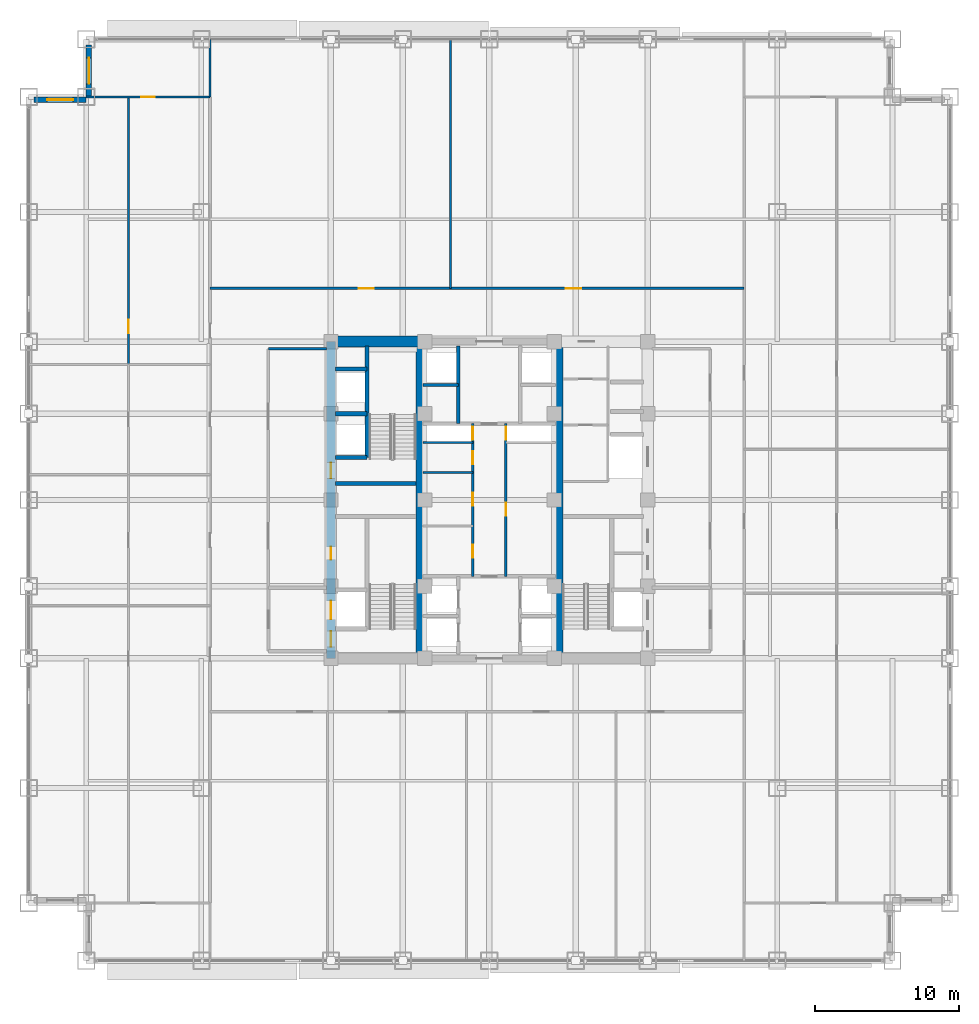
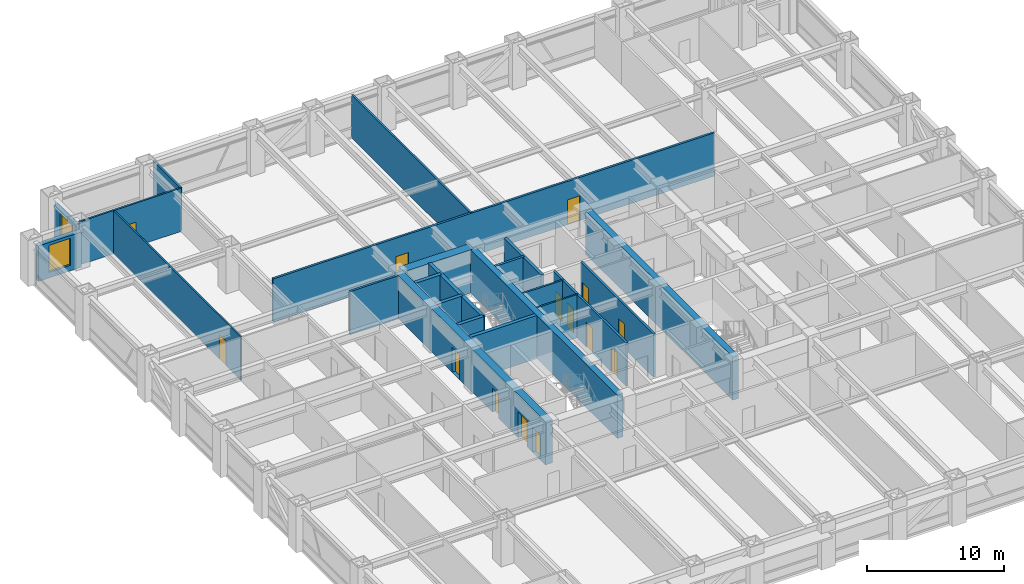
# One storey, part 25 of 32: 23 walls, 14 doors, 2 windows, 16 openings.
"""IFC4 building model written with IfcOpenShell, lengths in metres."""

from ifc_helpers import new_model, si_unit, direction, frame, frame_2d, origin, place, context, subcontext, project, spatial, rectangle, extrude, source, transform, mapped, material, layer, layer_set, type_object, element, fill, save


model = new_model("IFC4")

# Units and contexts
model_context = context("Model", 3, precision=1e-05, world=origin(), true_north=direction((0.0, 1.0)))
body_context = subcontext(model_context, "Body", "Model", "MODEL_VIEW")
ifc_project = project(units=[si_unit("LENGTHUNIT", "METRE"), si_unit("AREAUNIT", "SQUARE_METRE"), si_unit("VOLUMEUNIT", "CUBIC_METRE"), si_unit("PLANEANGLEUNIT", "RADIAN"), si_unit("MASSUNIT", "GRAM", prefix="KILO")], contexts=[model_context])

# Site, building, storey
site_placement = place(None, origin())
site = spatial("IfcSite", under=ifc_project, at=site_placement, CompositionType="ELEMENT")
building_placement = place(site_placement, origin())
building = spatial("IfcBuilding", under=site, at=building_placement, Name="Khorayat Bourse Tower", CompositionType="ELEMENT")
storey_placement = place(building_placement, frame((0.0, 0.0, 136.5)))
storey = spatial("IfcBuildingStorey", under=building, at=storey_placement, Name="L31", CompositionType="ELEMENT", Elevation=136.5)

# Wall, openings, doors
ifc_material_1 = material(Name="Concrete C60/75", Category="concrete")
ifc_layer_1 = layer(ifc_material_1, 0.60009765625)
ifc_layer_set_1 = layer_set([ifc_layer_1], Name="Concrete C60/75")
wall_type_1 = type_object("IfcWallType", Name="WAL-CORE-600", PredefinedType="SHEAR", material=ifc_layer_set_1)
shared_shape_1 = source(origin(), body_context, "Body", "SweptSolid", [
    extrude(rectangle(XDim=22.0, YDim=0.60009765625, at=frame_2d((11.0, 0.0))), origin(), (0.0, 0.0, 1.0), 3.840087890625),
])
wall_1_placement = place(storey_placement, frame((-11.0, -11.0, 0.0), z_axis=(0.0, 0.0, 1.0), x_axis=(0.0, 1.0, 0.0)))
wall_1 = element("IfcWall", 1, at=wall_1_placement, inside=storey, type_object=wall_type_1, Name="L31 Core Shear Wall CORE-W", PredefinedType="SHEAR", context=body_context, shape_type="MappedRepresentation", body=[
    mapped(shared_shape_1, transform((0.0, 0.0, 0.0), scale=1.0)),
])
shared_shape_2 = source(origin(), body_context, "Body", "SweptSolid", [
    extrude(rectangle(XDim=1.10009765625, YDim=2.199951171875, at=frame_2d((0.550048828125, 1.10009765625))), frame((0.0, 0.31005859375, 0.0), z_axis=(0.0, -1.0, 0.0), x_axis=(1.0, 0.0, 0.0)), (0.0, 0.0, 1.0), 0.6201171875),
])
opening_1_placement = place(wall_1_placement, frame((0.800048828125, 0.0, 0.0)))
opening_1 = element("IfcOpeningElement", 2, at=opening_1_placement, cuts=wall_1, Name="Opening DI-01", PredefinedType="OPENING", context=body_context, shape_type="MappedRepresentation", body=[
    mapped(shared_shape_2, transform((0.0, 0.0, 0.0), scale=1.0)),
])
opening_2_placement = place(wall_1_placement, frame((12.5, 0.0, 0.0)))
opening_2 = element("IfcOpeningElement", 3, at=opening_2_placement, cuts=wall_1, Name="Opening DI-01", PredefinedType="OPENING", context=body_context, shape_type="MappedRepresentation", body=[
    mapped(shared_shape_2, transform((0.0, 0.0, 0.0), scale=1.0)),
])
shared_shape_3 = source(origin(), body_context, "Body", "SweptSolid", [
    extrude(rectangle(XDim=0.89990234375, YDim=2.14990234375, at=frame_2d((0.449951171875, 1.074951171875))), frame((0.0, 0.31005859375, 0.0), z_axis=(0.0, -1.0, 0.0), x_axis=(1.0, 0.0, 0.0)), (0.0, 0.0, 1.0), 0.6201171875),
])
opening_3_placement = place(wall_1_placement, frame((6.85009765625, 0.0, 0.0)))
opening_3 = element("IfcOpeningElement", 4, at=opening_3_placement, cuts=wall_1, Name="Opening DI-06", PredefinedType="OPENING", context=body_context, shape_type="MappedRepresentation", body=[
    mapped(shared_shape_3, transform((0.0, 0.0, 0.0), scale=1.0)),
])
shared_shape_4 = source(origin(), body_context, "Body", "SweptSolid", [
    extrude(rectangle(XDim=1.300048828125, YDim=2.300048828125, at=frame_2d((0.64990234375, 1.14990234375))), frame((0.0, 0.31005859375, 0.0), z_axis=(0.0, -1.0, 0.0), x_axis=(1.0, 0.0, 0.0)), (0.0, 0.0, 1.0), 0.6201171875),
])
opening_4_placement = place(wall_1_placement, frame((2.699951171875, 0.0, 0.0)))
opening_4 = element("IfcOpeningElement", 5, at=opening_4_placement, cuts=wall_1, Name="Opening LD-02", PredefinedType="OPENING", context=body_context, shape_type="MappedRepresentation", body=[
    mapped(shared_shape_4, transform((0.0, 0.0, 0.0), scale=1.0)),
])
ifc_material_2 = material(Name="Fire-rated steel acoustic leaf", Category="steel")
door_type_1 = type_object("IfcDoorType", Name="DR-INT-STAIR-1100", OperationType="NOTDEFINED", PredefinedType="DOOR", material=ifc_material_2)
shared_shape_5 = source(origin(), body_context, "Body", "SweptSolid", [
    extrude(rectangle(XDim=1.10009765625, YDim=2.199951171875, at=frame_2d((0.550048828125, 1.10009765625))), frame((0.0, 0.02490234375, 0.0), z_axis=(0.0, -1.0, 0.0), x_axis=(1.0, 0.0, 0.0)), (0.0, 0.0, 1.0), 0.050048828125),
])
door_1_placement = place(opening_1_placement, origin())
door_1 = element("IfcDoor", 6, at=door_1_placement, inside=storey, type_object=door_type_1, Name="L31 Exit Stair 1 Door", OperationType="SINGLE_SWING_RIGHT", OverallHeight=2.199951171875, OverallWidth=1.10009765625, PredefinedType="DOOR", context=body_context, shape_type="MappedRepresentation", body=[
    mapped(shared_shape_5, transform((0.0, 0.0, 0.0), scale=1.0)),
])
fill(opening_1, door_1)
door_2_placement = place(opening_2_placement, origin())
door_2 = element("IfcDoor", 7, at=door_2_placement, inside=storey, type_object=door_type_1, Name="L31 Exit Stair 2 Door", OperationType="SINGLE_SWING_RIGHT", OverallHeight=2.199951171875, OverallWidth=1.10009765625, PredefinedType="DOOR", context=body_context, shape_type="MappedRepresentation", body=[
    mapped(shared_shape_5, transform((0.0, 0.0, 0.0), scale=1.0)),
])
fill(opening_2, door_2)
ifc_material_3 = material(Name="Moisture-resistant laminate washroom door")
door_type_2 = type_object("IfcDoorType", Name="DR-INT-WC-900", OperationType="NOTDEFINED", PredefinedType="DOOR", material=ifc_material_3)
shared_shape_6 = source(origin(), body_context, "Body", "SweptSolid", [
    extrude(rectangle(XDim=0.89990234375, YDim=2.14990234375, at=frame_2d((0.449951171875, 1.074951171875))), frame((0.0, 0.02490234375, 0.0), z_axis=(0.0, -1.0, 0.0), x_axis=(1.0, 0.0, 0.0)), (0.0, 0.0, 1.0), 0.050048828125),
])
door_3_placement = place(opening_3_placement, origin())
door_3 = element("IfcDoor", 8, at=door_3_placement, inside=storey, type_object=door_type_2, Name="L31 Electrical Switch Plant Room Door", OperationType="SINGLE_SWING_RIGHT", OverallHeight=2.14990234375, OverallWidth=0.89990234375, PredefinedType="DOOR", context=body_context, shape_type="MappedRepresentation", body=[
    mapped(shared_shape_6, transform((0.0, 0.0, 0.0), scale=1.0)),
])
fill(opening_3, door_3)
ifc_material_4 = material(Name="Fire-rated stainless-steel sliding landing door", Category="steel")
door_type_3 = type_object("IfcDoorType", Name="DR-LIFT-FF-1300", OperationType="NOTDEFINED", PredefinedType="DOOR", material=ifc_material_4)
shared_shape_7 = source(origin(), body_context, "Body", "SweptSolid", [
    extrude(rectangle(XDim=1.300048828125, YDim=2.300048828125, at=frame_2d((0.64990234375, 1.14990234375))), frame((0.0, 0.02490234375, 0.0), z_axis=(0.0, -1.0, 0.0), x_axis=(1.0, 0.0, 0.0)), (0.0, 0.0, 1.0), 0.050048828125),
])
door_4_placement = place(opening_4_placement, origin())
door_4 = element("IfcDoor", 9, at=door_4_placement, inside=storey, type_object=door_type_3, Name="L31 Lift FFL-01 Sliding Landing Door", OperationType="SLIDING_TO_LEFT", OverallHeight=2.300048828125, OverallWidth=1.300048828125, PredefinedType="DOOR", context=body_context, shape_type="MappedRepresentation", body=[
    mapped(shared_shape_7, transform((0.0, 0.0, 0.0), scale=1.0)),
])
fill(opening_4, door_4)

# Walls
ifc_material_5 = material(Name="Concrete C52/65", Category="concrete")
ifc_layer_2 = layer(ifc_material_5, 0.5)
ifc_layer_set_2 = layer_set([ifc_layer_2], Name="Concrete C52/65")
wall_type_2 = type_object("IfcWallType", Name="WAL-CORE-500", PredefinedType="SHEAR", material=ifc_layer_set_2)
shared_shape_8 = source(origin(), body_context, "Body", "SweptSolid", [
    extrude(rectangle(XDim=21.39990234375, YDim=0.5, at=frame_2d((10.699951171875, 0.0))), origin(), (0.0, 0.0, 1.0), 3.840087890625),
])
for number, where, z_axis, x_axis, name in (
    (10, (-4.85009765625, -10.699951171875, 0.0), (0.0, 0.0, 1.0), (0.0, 1.0, 0.0), "L31 Core Shear Wall PIER-W"),
    (11, (4.85009765625, -10.699951171875, 0.0), (0.0, 0.0, 1.0), (0.0, 1.0, 0.0), "L31 Core Shear Wall PIER-E"),
):
    element("IfcWall", number, at=place(storey_placement, frame(where, z_axis=z_axis, x_axis=x_axis)), inside=storey, type_object=wall_type_2, Name=name, PredefinedType="SHEAR", context=body_context, shape_type="MappedRepresentation", body=[
        mapped(shared_shape_8, transform((0.0, 0.0, 0.0), scale=1.0)),
    ])
ifc_material_6 = material(Name="Concrete C72/90", Category="concrete")
ifc_layer_3 = layer(ifc_material_6, 0.75)
ifc_layer_set_3 = layer_set([ifc_layer_3], Name="Concrete C72/90")
wall_type_3 = type_object("IfcWallType", Name="WAL-CORE-750", PredefinedType="SHEAR", material=ifc_layer_set_3)
shared_shape_9 = source(origin(), body_context, "Body", "SweptSolid", [
    extrude(rectangle(XDim=5.849853515625, YDim=0.75, at=frame_2d((2.9248046875, 0.0))), origin(), (0.0, 0.0, 1.0), 3.840087890625),
])
wall_2_placement = place(storey_placement, frame((-10.699951171875, 11.0, 0.0), z_axis=(0.0, 0.0, 1.0), x_axis=(1.0, 0.0, 0.0)))
element("IfcWall", 12, at=wall_2_placement, inside=storey, type_object=wall_type_3, Name="L31 Core Shear Wall PIER-WN", PredefinedType="SHEAR", context=body_context, shape_type="MappedRepresentation", body=[
    mapped(shared_shape_9, transform((0.0, 0.0, 0.0), scale=1.0)),
])
ifc_material_7 = material(Name="Concrete C50/60", Category="concrete")
ifc_layer_4 = layer(ifc_material_7, 0.300048828125)
ifc_layer_set_4 = layer_set([ifc_layer_4], Name="Concrete C50/60")
wall_type_4 = type_object("IfcWallType", Name="WAL-SHAFT-300", PredefinedType="SHEAR", material=ifc_layer_set_4)
shared_shape_10 = source(origin(), body_context, "Body", "SweptSolid", [
    extrude(rectangle(XDim=5.599853515625, YDim=0.300048828125, at=frame_2d((2.7998046875, 0.0))), origin(), (0.0, 0.0, 1.0), 3.840087890625),
])
wall_3_placement = place(storey_placement, frame((-10.699951171875, 1.14990234375, 0.0), z_axis=(0.0, 0.0, 1.0), x_axis=(1.0, 0.0, 0.0)))
element("IfcWall", 13, at=wall_3_placement, inside=storey, type_object=wall_type_4, Name="L31 Core Shear Wall ST2-DIV", PredefinedType="SHEAR", context=body_context, shape_type="MappedRepresentation", body=[
    mapped(shared_shape_10, transform((0.0, 0.0, 0.0), scale=1.0)),
])

# Wall, opening, window
ifc_material_8 = material(Name="Precast concrete C45/55", Category="concrete")
ifc_layer_5 = layer(ifc_material_8, 0.3798828125)
ifc_layer_set_5 = layer_set([ifc_layer_5], Name="Precast concrete C45/55")
wall_type_5 = type_object("IfcWallType", Name="WAL-EXT-STONE-380", PredefinedType="STANDARD", material=ifc_layer_set_5)
shared_shape_11 = source(origin(), body_context, "Body", "SweptSolid", [
    extrude(rectangle(XDim=3.6201171875, YDim=0.3798828125, at=frame_2d((1.81005859375, 0.0))), origin(), (0.0, 0.0, 1.0), 3.14501953125),
])
wall_4_placement = place(storey_placement, frame((-27.81005859375, 28.0, 0.0), z_axis=(0.0, 0.0, 1.0), x_axis=(0.0, 1.0, 0.0)))
wall_4 = element("IfcWall", 14, at=wall_4_placement, inside=storey, type_object=wall_type_5, Name="L31 Re-Entrant Notch Limestone Wall NW-V", PredefinedType="STANDARD", context=body_context, shape_type="MappedRepresentation", body=[
    mapped(shared_shape_11, transform((0.0, 0.0, 0.0), scale=1.0)),
])
shared_shape_12 = source(origin(), body_context, "Body", "SweptSolid", [
    extrude(rectangle(XDim=1.800048828125, YDim=2.39990234375, at=frame_2d((0.89990234375, 1.199951171875))), frame((0.0, 0.199951171875, 0.0), z_axis=(0.0, -1.0, 0.0), x_axis=(1.0, 0.0, 0.0)), (0.0, 0.0, 1.0), 0.39990234375),
])
opening_5_placement = place(wall_4_placement, frame((0.909912109375, 0.0, 0.5)))
opening_5 = element("IfcOpeningElement", 15, at=opening_5_placement, cuts=wall_4, Name="Opening WN-04", PredefinedType="OPENING", context=body_context, shape_type="MappedRepresentation", body=[
    mapped(shared_shape_12, transform((0.0, 0.0, 0.0), scale=1.0)),
])
ifc_material_9 = material(Name="Low-E acoustic laminated double glazing", Category="glass")
window_type = type_object("IfcWindowType", Name="WIN-NOTCH-1800x2400", PartitioningType="SINGLE_PANEL", PredefinedType="WINDOW", material=ifc_material_9)
shared_shape_13 = source(origin(), body_context, "Body", "SweptSolid", [
    extrude(rectangle(XDim=1.800048828125, YDim=2.39990234375, at=frame_2d((0.89990234375, 1.199951171875))), frame((0.0, 0.030029296875, 0.0), z_axis=(0.0, -1.0, 0.0), x_axis=(1.0, 0.0, 0.0)), (0.0, 0.0, 1.0), 0.06005859375),
])
window_1_placement = place(opening_5_placement, origin())
window_1 = element("IfcWindow", 16, at=window_1_placement, inside=storey, type_object=window_type, Name="L31 Facade Window 1", OverallHeight=2.39990234375, OverallWidth=1.800048828125, PartitioningType="SINGLE_PANEL", PredefinedType="WINDOW", context=body_context, shape_type="MappedRepresentation", body=[
    mapped(shared_shape_13, transform((0.0, 0.0, 0.0), scale=1.0)),
])
fill(opening_5, window_1)

wall_5_placement = place(storey_placement, frame((-28.0, 27.81005859375, 0.0), z_axis=(0.0, 0.0, 1.0), x_axis=(-1.0, 0.0, 0.0)))
wall_5 = element("IfcWall", 17, at=wall_5_placement, inside=storey, type_object=wall_type_5, Name="L31 Re-Entrant Notch Limestone Wall NW-H", PredefinedType="STANDARD", context=body_context, shape_type="MappedRepresentation", body=[
    mapped(shared_shape_11, transform((0.0, 0.0, 0.0), scale=1.0)),
])
opening_6_placement = place(wall_5_placement, frame((0.909912109375, 0.0, 0.5)))
opening_6 = element("IfcOpeningElement", 18, at=opening_6_placement, cuts=wall_5, Name="Opening WN-04", PredefinedType="OPENING", context=body_context, shape_type="MappedRepresentation", body=[
    mapped(shared_shape_12, transform((0.0, 0.0, 0.0), scale=1.0)),
])
window_2_placement = place(opening_6_placement, origin())
window_2 = element("IfcWindow", 19, at=window_2_placement, inside=storey, type_object=window_type, Name="L31 Facade Window 1", OverallHeight=2.39990234375, OverallWidth=1.800048828125, PartitioningType="SINGLE_PANEL", PredefinedType="WINDOW", context=body_context, shape_type="MappedRepresentation", body=[
    mapped(shared_shape_13, transform((0.0, 0.0, 0.0), scale=1.0)),
])
fill(opening_6, window_2)

# Walls
shared_shape_14 = source(origin(), body_context, "Body", "SweptSolid", [
    extrude(rectangle(XDim=2.199951171875, YDim=0.300048828125, at=frame_2d((1.10009765625, 0.0))), origin(), (0.0, 0.0, 1.0), 3.840087890625),
])
for number, where, z_axis, x_axis, name in (
    (20, (-10.699951171875, 2.949951171875, 0.0), (0.0, 0.0, 1.0), (1.0, 0.0, 0.0), "L31 Partition WAL-L31-WPIER-H1S"),
    (21, (-10.699951171875, 6.0, 0.0), (0.0, 0.0, 1.0), (1.0, 0.0, 0.0), "L31 Partition WAL-L31-WPIER-H12"),
    (22, (-10.699951171875, 9.10009765625, 0.0), (0.0, 0.0, 1.0), (1.0, 0.0, 0.0), "L31 Partition WAL-L31-WPIER-H2N"),
):
    element("IfcWall", number, at=place(storey_placement, frame(where, z_axis=z_axis, x_axis=x_axis)), inside=storey, type_object=wall_type_4, Name=name, PredefinedType="SHEAR", context=body_context, shape_type="MappedRepresentation", body=[
        mapped(shared_shape_14, transform((0.0, 0.0, 0.0), scale=1.0)),
    ])
shared_shape_15 = source(origin(), body_context, "Body", "SweptSolid", [
    extrude(rectangle(XDim=7.75, YDim=0.300048828125, at=frame_2d((3.875, 0.0))), origin(), (0.0, 0.0, 1.0), 3.840087890625),
])
wall_6_placement = place(storey_placement, frame((-8.5, 2.949951171875, 0.0), z_axis=(0.0, 0.0, 1.0), x_axis=(0.0, 1.0, 0.0)))
element("IfcWall", 23, at=wall_6_placement, inside=storey, type_object=wall_type_4, Name="L31 Partition WAL-L31-WPIER-ST2S", PredefinedType="SHEAR", context=body_context, shape_type="MappedRepresentation", body=[
    mapped(shared_shape_15, transform((0.0, 0.0, 0.0), scale=1.0)),
])
ifc_material_10 = material(Name="Gypsum plasterboard acoustic stud wall")
ifc_layer_6 = layer(ifc_material_10, 0.179931640625)
ifc_layer_set_6 = layer_set([ifc_layer_6], Name="Gypsum plasterboard acoustic stud wall")
wall_type_6 = type_object("IfcWallType", Name="WAL-PART-CORR-180", PredefinedType="PARTITIONING", material=ifc_layer_set_6)
shared_shape_16 = source(origin(), body_context, "Body", "SweptSolid", [
    extrude(rectangle(XDim=4.050048828125, YDim=0.179931640625, at=frame_2d((2.02490234375, 0.0))), origin(), (0.0, 0.0, 1.0), 3.840087890625),
])
wall_7_placement = place(storey_placement, frame((-15.35009765625, 10.5, 0.0), z_axis=(0.0, 0.0, 1.0), x_axis=(1.0, 0.0, 0.0)))
element("IfcWall", 24, at=wall_7_placement, inside=storey, type_object=wall_type_6, Name="L31 Partition WAL-L31-WLOB-N", PredefinedType="PARTITIONING", context=body_context, shape_type="MappedRepresentation", body=[
    mapped(shared_shape_16, transform((0.0, 0.0, 0.0), scale=1.0)),
])
ifc_material_11 = material(Name="Gypsum plasterboard twin-frame partition")
ifc_layer_7 = layer(ifc_material_11, 0.14990234375)
ifc_layer_set_7 = layer_set([ifc_layer_7], Name="Gypsum plasterboard twin-frame partition")
wall_type_7 = type_object("IfcWallType", Name="WAL-PART-SUITE-150", PredefinedType="PARTITIONING", material=ifc_layer_set_7)
shared_shape_17 = source(origin(), body_context, "Body", "SweptSolid", [
    extrude(rectangle(XDim=3.4501953125, YDim=0.14990234375, at=frame_2d((1.72509765625, 0.0))), origin(), (0.0, 0.0, 1.0), 3.840087890625),
])
wall_8_placement = place(storey_placement, frame((-4.60009765625, 4.0, 0.0), z_axis=(0.0, 0.0, 1.0), x_axis=(1.0, 0.0, 0.0)))
element("IfcWall", 25, at=wall_8_placement, inside=storey, type_object=wall_type_7, Name="L31 Partition WAL-L31-CRSW-S", PredefinedType="PARTITIONING", context=body_context, shape_type="MappedRepresentation", body=[
    mapped(shared_shape_17, transform((0.0, 0.0, 0.0), scale=1.0)),
])
shared_shape_18 = source(origin(), body_context, "Body", "SweptSolid", [
    extrude(rectangle(XDim=5.39990234375, YDim=0.25, at=frame_2d((2.699951171875, 0.0))), origin(), (0.0, 0.0, 1.0), 3.840087890625),
])
wall_9_placement = place(storey_placement, frame((-2.14990234375, 5.300048828125, 0.0), z_axis=(0.0, 0.0, 1.0), x_axis=(0.0, 1.0, 0.0)))
element("IfcWall", 26, at=wall_9_placement, inside=storey, type_object=wall_type_4, Name="L31 Partition WAL-L31-B2-W", PredefinedType="SHEAR", context=body_context, shape_type="MappedRepresentation", body=[
    mapped(shared_shape_18, transform((0.0, 0.0, 0.0), scale=1.0)),
])
shared_shape_19 = source(origin(), body_context, "Body", "SweptSolid", [
    extrude(rectangle(XDim=2.4501953125, YDim=0.199951171875, at=frame_2d((1.22509765625, 0.0))), origin(), (0.0, 0.0, 1.0), 3.840087890625),
])
wall_10_placement = place(storey_placement, frame((-4.60009765625, 8.0, 0.0), z_axis=(0.0, 0.0, 1.0), x_axis=(1.0, 0.0, 0.0)))
element("IfcWall", 27, at=wall_10_placement, inside=storey, type_object=wall_type_4, Name="L31 Partition WAL-L31-B2-MW", PredefinedType="SHEAR", context=body_context, shape_type="MappedRepresentation", body=[
    mapped(shared_shape_19, transform((0.0, 0.0, 0.0), scale=1.0)),
])

# Wall, openings, doors
shared_shape_20 = source(origin(), body_context, "Body", "SweptSolid", [
    extrude(rectangle(XDim=10.60009765625, YDim=0.179931640625, at=frame_2d((5.300048828125, 0.0))), origin(), (0.0, 0.0, 1.0), 3.840087890625),
])
wall_11_placement = place(storey_placement, frame((-1.14990234375, -5.300048828125, 0.0), z_axis=(0.0, 0.0, 1.0), x_axis=(0.0, 1.0, 0.0)))
wall_11 = element("IfcWall", 28, at=wall_11_placement, inside=storey, type_object=wall_type_6, Name="L31 Partition WAL-L31-CMW-L", PredefinedType="PARTITIONING", context=body_context, shape_type="MappedRepresentation", body=[
    mapped(shared_shape_20, transform((0.0, 0.0, 0.0), scale=1.0)),
])
shared_shape_21 = source(origin(), body_context, "Body", "SweptSolid", [
    extrude(rectangle(XDim=0.89990234375, YDim=2.14990234375, at=frame_2d((0.449951171875, 1.074951171875))), frame((0.0, 0.099853515625, 0.0), z_axis=(0.0, -1.0, 0.0), x_axis=(1.0, 0.0, 0.0)), (0.0, 0.0, 1.0), 0.199951171875),
])
opening_7_placement = place(wall_11_placement, frame((1.300048828125, 0.0, 0.0)))
opening_7 = element("IfcOpeningElement", 29, at=opening_7_placement, cuts=wall_11, Name="Opening DI-06", PredefinedType="OPENING", context=body_context, shape_type="MappedRepresentation", body=[
    mapped(shared_shape_21, transform((0.0, 0.0, 0.0), scale=1.0)),
])
opening_8_placement = place(wall_11_placement, frame((4.89990234375, 0.0, 0.0)))
opening_8 = element("IfcOpeningElement", 30, at=opening_8_placement, cuts=wall_11, Name="Opening DI-06", PredefinedType="OPENING", context=body_context, shape_type="MappedRepresentation", body=[
    mapped(shared_shape_21, transform((0.0, 0.0, 0.0), scale=1.0)),
])
opening_9_placement = place(wall_11_placement, frame((7.800048828125, 0.0, 0.0)))
opening_9 = element("IfcOpeningElement", 31, at=opening_9_placement, cuts=wall_11, Name="Opening DI-06", PredefinedType="OPENING", context=body_context, shape_type="MappedRepresentation", body=[
    mapped(shared_shape_21, transform((0.0, 0.0, 0.0), scale=1.0)),
])
opening_10_placement = place(wall_11_placement, frame((9.47509765625, 0.0, 0.0)))
opening_10 = element("IfcOpeningElement", 32, at=opening_10_placement, cuts=wall_11, Name="Opening DI-06", PredefinedType="OPENING", context=body_context, shape_type="MappedRepresentation", body=[
    mapped(shared_shape_21, transform((0.0, 0.0, 0.0), scale=1.0)),
])
door_5_placement = place(opening_7_placement, origin())
door_5 = element("IfcDoor", 33, at=door_5_placement, inside=storey, type_object=door_type_2, Name="L31 Male Core Washroom Door", OperationType="SINGLE_SWING_RIGHT", OverallHeight=2.14990234375, OverallWidth=0.89990234375, PredefinedType="DOOR", context=body_context, shape_type="MappedRepresentation", body=[
    mapped(shared_shape_6, transform((0.0, 0.0, 0.0), scale=1.0)),
])
fill(opening_7, door_5)
door_6_placement = place(opening_8_placement, origin())
door_6 = element("IfcDoor", 34, at=door_6_placement, inside=storey, type_object=door_type_2, Name="L31 AHU Fan Plant Room Door", OperationType="SINGLE_SWING_LEFT", OverallHeight=2.14990234375, OverallWidth=0.89990234375, PredefinedType="DOOR", context=body_context, shape_type="MappedRepresentation", body=[
    mapped(shared_shape_6, transform((0.0, 0.0, 0.0), scale=1.0)),
])
fill(opening_8, door_6)
door_7_placement = place(opening_9_placement, origin())
door_7 = element("IfcDoor", 35, at=door_7_placement, inside=storey, type_object=door_type_2, Name="L31 Janitor Store Door", OperationType="SINGLE_SWING_RIGHT", OverallHeight=2.14990234375, OverallWidth=0.89990234375, PredefinedType="DOOR", context=body_context, shape_type="MappedRepresentation", body=[
    mapped(shared_shape_6, transform((0.0, 0.0, 0.0), scale=1.0)),
])
fill(opening_9, door_7)
door_8_placement = place(opening_10_placement, origin())
door_8 = element("IfcDoor", 36, at=door_8_placement, inside=storey, type_object=door_type_2, Name="L31 West Core Riser Door", OperationType="SINGLE_SWING_LEFT", OverallHeight=2.14990234375, OverallWidth=0.89990234375, PredefinedType="DOOR", context=body_context, shape_type="MappedRepresentation", body=[
    mapped(shared_shape_6, transform((0.0, 0.0, 0.0), scale=1.0)),
])
fill(opening_10, door_8)

wall_12_placement = place(storey_placement, frame((1.14990234375, -5.300048828125, 0.0), z_axis=(0.0, 0.0, 1.0), x_axis=(0.0, 1.0, 0.0)))
wall_12 = element("IfcWall", 37, at=wall_12_placement, inside=storey, type_object=wall_type_6, Name="L31 Partition WAL-L31-CME-L", PredefinedType="PARTITIONING", context=body_context, shape_type="MappedRepresentation", body=[
    mapped(shared_shape_20, transform((0.0, 0.0, 0.0), scale=1.0)),
])
opening_11_placement = place(wall_12_placement, frame((4.199951171875, 0.0, 0.0)))
opening_11 = element("IfcOpeningElement", 38, at=opening_11_placement, cuts=wall_12, Name="Opening DI-06", PredefinedType="OPENING", context=body_context, shape_type="MappedRepresentation", body=[
    mapped(shared_shape_21, transform((0.0, 0.0, 0.0), scale=1.0)),
])
opening_12_placement = place(wall_12_placement, frame((9.47509765625, 0.0, 0.0)))
opening_12 = element("IfcOpeningElement", 39, at=opening_12_placement, cuts=wall_12, Name="Opening DI-06", PredefinedType="OPENING", context=body_context, shape_type="MappedRepresentation", body=[
    mapped(shared_shape_21, transform((0.0, 0.0, 0.0), scale=1.0)),
])
door_9_placement = place(opening_11_placement, origin())
door_9 = element("IfcDoor", 40, at=door_9_placement, inside=storey, type_object=door_type_2, Name="L31 Female Core Washroom Door", OperationType="SINGLE_SWING_RIGHT", OverallHeight=2.14990234375, OverallWidth=0.89990234375, PredefinedType="DOOR", context=body_context, shape_type="MappedRepresentation", body=[
    mapped(shared_shape_6, transform((0.0, 0.0, 0.0), scale=1.0)),
])
fill(opening_11, door_9)
door_10_placement = place(opening_12_placement, origin())
door_10 = element("IfcDoor", 41, at=door_10_placement, inside=storey, type_object=door_type_2, Name="L31 East Core Riser Door", OperationType="SINGLE_SWING_RIGHT", OverallHeight=2.14990234375, OverallWidth=0.89990234375, PredefinedType="DOOR", context=body_context, shape_type="MappedRepresentation", body=[
    mapped(shared_shape_6, transform((0.0, 0.0, 0.0), scale=1.0)),
])
fill(opening_12, door_10)

# Wall
ifc_material_12 = material(Name="Moisture-resistant masonry partition", Category="masonry")
ifc_layer_8 = layer(ifc_material_12, 0.139892578125)
ifc_layer_set_8 = layer_set([ifc_layer_8], Name="Moisture-resistant masonry partition")
wall_type_8 = type_object("IfcWallType", Name="WAL-PART-WET-140", PredefinedType="PARTITIONING", material=ifc_layer_set_8)
shared_shape_22 = source(origin(), body_context, "Body", "SweptSolid", [
    extrude(rectangle(XDim=3.4501953125, YDim=0.139892578125, at=frame_2d((1.72509765625, 0.0))), origin(), (0.0, 0.0, 1.0), 3.840087890625),
])
wall_13_placement = place(storey_placement, frame((-4.60009765625, 1.89990234375, 0.0), z_axis=(0.0, 0.0, 1.0), x_axis=(1.0, 0.0, 0.0)))
element("IfcWall", 42, at=wall_13_placement, inside=storey, type_object=wall_type_8, Name="L31 Partition WAL-L31-CMW-D2", PredefinedType="PARTITIONING", context=body_context, shape_type="MappedRepresentation", body=[
    mapped(shared_shape_22, transform((0.0, 0.0, 0.0), scale=1.0)),
])

# Wall, openings, doors
shared_shape_23 = source(origin(), body_context, "Body", "SweptSolid", [
    extrude(rectangle(XDim=37.099853515625, YDim=0.179931640625, at=frame_2d((18.5498046875, 0.0))), origin(), (0.0, 0.0, 1.0), 3.840087890625),
])
wall_14_placement = place(storey_placement, frame((-19.39990234375, 14.699951171875, 0.0), z_axis=(0.0, 0.0, 1.0), x_axis=(1.0, 0.0, 0.0)))
wall_14 = element("IfcWall", 43, at=wall_14_placement, inside=storey, type_object=wall_type_6, Name="L31 Partition WAL-L31-NCORR", PredefinedType="PARTITIONING", context=body_context, shape_type="MappedRepresentation", body=[
    mapped(shared_shape_23, transform((0.0, 0.0, 0.0), scale=1.0)),
])
shared_shape_24 = source(origin(), body_context, "Body", "SweptSolid", [
    extrude(rectangle(XDim=1.050048828125, YDim=2.199951171875, at=frame_2d((0.52490234375, 1.10009765625))), frame((0.0, 0.099853515625, 0.0), z_axis=(0.0, -1.0, 0.0), x_axis=(1.0, 0.0, 0.0)), (0.0, 0.0, 1.0), 0.199951171875),
])
opening_13_placement = place(wall_14_placement, frame((10.322509765625, 0.0, 0.0)))
opening_13 = element("IfcOpeningElement", 44, at=opening_13_placement, cuts=wall_14, Name="Opening DI-04", PredefinedType="OPENING", context=body_context, shape_type="MappedRepresentation", body=[
    mapped(shared_shape_24, transform((0.0, 0.0, 0.0), scale=1.0)),
])
opening_14_placement = place(wall_14_placement, frame((24.722412109375, 0.0, 0.0)))
opening_14 = element("IfcOpeningElement", 45, at=opening_14_placement, cuts=wall_14, Name="Opening DI-04", PredefinedType="OPENING", context=body_context, shape_type="MappedRepresentation", body=[
    mapped(shared_shape_24, transform((0.0, 0.0, 0.0), scale=1.0)),
])
ifc_material_13 = material(Name="Fire-rated oak veneer suite entrance door")
door_type_4 = type_object("IfcDoorType", Name="DR-INT-SUITE-1050", OperationType="NOTDEFINED", PredefinedType="DOOR", material=ifc_material_13)
shared_shape_25 = source(origin(), body_context, "Body", "SweptSolid", [
    extrude(rectangle(XDim=1.050048828125, YDim=2.199951171875, at=frame_2d((0.52490234375, 1.10009765625))), frame((0.0, 0.02490234375, 0.0), z_axis=(0.0, -1.0, 0.0), x_axis=(1.0, 0.0, 0.0)), (0.0, 0.0, 1.0), 0.050048828125),
])
door_11_placement = place(opening_13_placement, origin())
door_11 = element("IfcDoor", 46, at=door_11_placement, inside=storey, type_object=door_type_4, Name="L31 Members Club Room N1 Door", OperationType="SINGLE_SWING_RIGHT", OverallHeight=2.199951171875, OverallWidth=1.050048828125, PredefinedType="DOOR", context=body_context, shape_type="MappedRepresentation", body=[
    mapped(shared_shape_25, transform((0.0, 0.0, 0.0), scale=1.0)),
])
fill(opening_13, door_11)
door_12_placement = place(opening_14_placement, origin())
door_12 = element("IfcDoor", 47, at=door_12_placement, inside=storey, type_object=door_type_4, Name="L31 Executive Wellness Fitness Gym N2 Door", OperationType="SINGLE_SWING_LEFT", OverallHeight=2.199951171875, OverallWidth=1.050048828125, PredefinedType="DOOR", context=body_context, shape_type="MappedRepresentation", body=[
    mapped(shared_shape_25, transform((0.0, 0.0, 0.0), scale=1.0)),
])
fill(opening_14, door_12)

# Wall
shared_shape_26 = source(origin(), body_context, "Body", "SweptSolid", [
    extrude(rectangle(XDim=4.0, YDim=0.14990234375, at=frame_2d((2.0, 0.0))), origin(), (0.0, 0.0, 1.0), 3.840087890625),
])
wall_15_placement = place(storey_placement, frame((-19.39990234375, 28.0, 0.0), z_axis=(0.0, 0.0, 1.0), x_axis=(0.0, 1.0, 0.0)))
element("IfcWall", 48, at=wall_15_placement, inside=storey, type_object=wall_type_7, Name="L31 Partition WAL-L31-NCW-END", PredefinedType="PARTITIONING", context=body_context, shape_type="MappedRepresentation", body=[
    mapped(shared_shape_26, transform((0.0, 0.0, 0.0), scale=1.0)),
])

# Wall, opening, door
shared_shape_27 = source(origin(), body_context, "Body", "SweptSolid", [
    extrude(rectangle(XDim=8.60009765625, YDim=0.14990234375, at=frame_2d((4.300048828125, 0.0))), origin(), (0.0, 0.0, 1.0), 3.840087890625),
])
wall_16_placement = place(storey_placement, frame((-28.0, 28.0, 0.0), z_axis=(0.0, 0.0, 1.0), x_axis=(1.0, 0.0, 0.0)))
wall_16 = element("IfcWall", 49, at=wall_16_placement, inside=storey, type_object=wall_type_7, Name="L31 Partition WAL-L31-CNW", PredefinedType="PARTITIONING", context=body_context, shape_type="MappedRepresentation", body=[
    mapped(shared_shape_27, transform((0.0, 0.0, 0.0), scale=1.0)),
])
shared_shape_28 = source(origin(), body_context, "Body", "SweptSolid", [
    extrude(rectangle(XDim=0.949951171875, YDim=2.14990234375, at=frame_2d((0.47509765625, 1.074951171875))), frame((0.0, 0.0849609375, 0.0), z_axis=(0.0, -1.0, 0.0), x_axis=(1.0, 0.0, 0.0)), (0.0, 0.0, 1.0), 0.169921875),
])
opening_15_placement = place(wall_16_placement, frame((3.824951171875, 0.0, 0.0)))
opening_15 = element("IfcOpeningElement", 50, at=opening_15_placement, cuts=wall_16, Name="Opening DI-05", PredefinedType="OPENING", context=body_context, shape_type="MappedRepresentation", body=[
    mapped(shared_shape_28, transform((0.0, 0.0, 0.0), scale=1.0)),
])
ifc_material_14 = material(Name="Acoustic oak veneer office door")
door_type_5 = type_object("IfcDoorType", Name="DR-INT-OFFICE-950", OperationType="NOTDEFINED", PredefinedType="DOOR", material=ifc_material_14)
shared_shape_29 = source(origin(), body_context, "Body", "SweptSolid", [
    extrude(rectangle(XDim=0.949951171875, YDim=2.14990234375, at=frame_2d((0.47509765625, 1.074951171875))), frame((0.0, 0.02490234375, 0.0), z_axis=(0.0, -1.0, 0.0), x_axis=(1.0, 0.0, 0.0)), (0.0, 0.0, 1.0), 0.050048828125),
])
door_13_placement = place(opening_15_placement, origin())
door_13 = element("IfcDoor", 51, at=door_13_placement, inside=storey, type_object=door_type_5, Name="L31 North-West Corner Meeting Room Door", OperationType="SINGLE_SWING_LEFT", OverallHeight=2.14990234375, OverallWidth=0.949951171875, PredefinedType="DOOR", context=body_context, shape_type="MappedRepresentation", body=[
    mapped(shared_shape_29, transform((0.0, 0.0, 0.0), scale=1.0)),
])
fill(opening_15, door_13)

# Wall
shared_shape_30 = source(origin(), body_context, "Body", "SweptSolid", [
    extrude(rectangle(XDim=17.300048828125, YDim=0.14990234375, at=frame_2d((8.64990234375, 0.0))), origin(), (0.0, 0.0, 1.0), 3.840087890625),
])
wall_17_placement = place(storey_placement, frame((-2.705078125, 14.699951171875, 0.0), z_axis=(0.0, 0.0, 1.0), x_axis=(0.0, 1.0, 0.0)))
element("IfcWall", 52, at=wall_17_placement, inside=storey, type_object=wall_type_7, Name="L31 Partition WAL-L31-NDV-1", PredefinedType="PARTITIONING", context=body_context, shape_type="MappedRepresentation", body=[
    mapped(shared_shape_30, transform((0.0, 0.0, 0.0), scale=1.0)),
])

# Wall, opening, door
ifc_material_15 = material(Name="Gypsum plasterboard partition")
ifc_layer_9 = layer(ifc_material_15, 0.125)
ifc_layer_set_9 = layer_set([ifc_layer_9], Name="Gypsum plasterboard partition")
wall_type_9 = type_object("IfcWallType", Name="WAL-PART-ROOM-125", PredefinedType="PARTITIONING", material=ifc_layer_set_9)
shared_shape_31 = source(origin(), body_context, "Body", "SweptSolid", [
    extrude(rectangle(XDim=18.592041015625, YDim=0.125, at=frame_2d((9.2958984375, 0.0))), origin(), (0.0, 0.0, 1.0), 3.840087890625),
])
wall_18_placement = place(storey_placement, frame((-25.070068359375, 9.407958984375, 0.0), z_axis=(0.0, 0.0, 1.0), x_axis=(0.0, 1.0, 0.0)))
wall_18 = element("IfcWall", 53, at=wall_18_placement, inside=storey, type_object=wall_type_9, Name="L31 Partition WAL-L31-WDP-4", PredefinedType="PARTITIONING", context=body_context, shape_type="MappedRepresentation", body=[
    mapped(shared_shape_31, transform((0.0, 0.0, 0.0), scale=1.0)),
])
shared_shape_32 = source(origin(), body_context, "Body", "SweptSolid", [
    extrude(rectangle(XDim=0.949951171875, YDim=2.14990234375, at=frame_2d((0.47509765625, 1.074951171875))), frame((0.0, 0.072509765625, 0.0), z_axis=(0.0, -1.0, 0.0), x_axis=(1.0, 0.0, 0.0)), (0.0, 0.0, 1.0), 0.14501953125),
])
opening_16_placement = place(wall_18_placement, frame((2.1708984375, 0.0, 0.0)))
opening_16 = element("IfcOpeningElement", 54, at=opening_16_placement, cuts=wall_18, Name="Opening DI-05", PredefinedType="OPENING", context=body_context, shape_type="MappedRepresentation", body=[
    mapped(shared_shape_32, transform((0.0, 0.0, 0.0), scale=1.0)),
])
door_14_placement = place(opening_16_placement, origin())
door_14 = element("IfcDoor", 55, at=door_14_placement, inside=storey, type_object=door_type_5, Name="L31 Quantitative Research Study W4B Door", OperationType="SINGLE_SWING_LEFT", OverallHeight=2.14990234375, OverallWidth=0.949951171875, PredefinedType="DOOR", context=body_context, shape_type="MappedRepresentation", body=[
    mapped(shared_shape_29, transform((0.0, 0.0, 0.0), scale=1.0)),
])
fill(opening_16, door_14)

save(model, "model.ifc")
